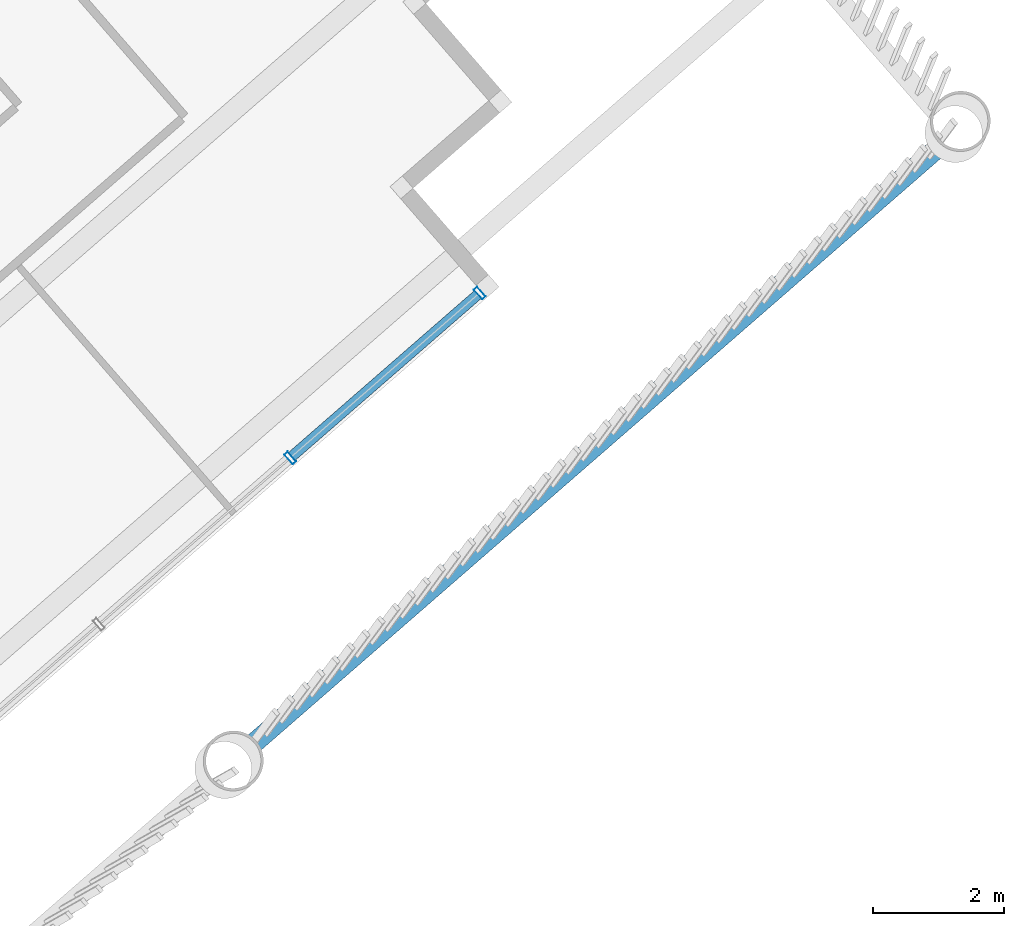
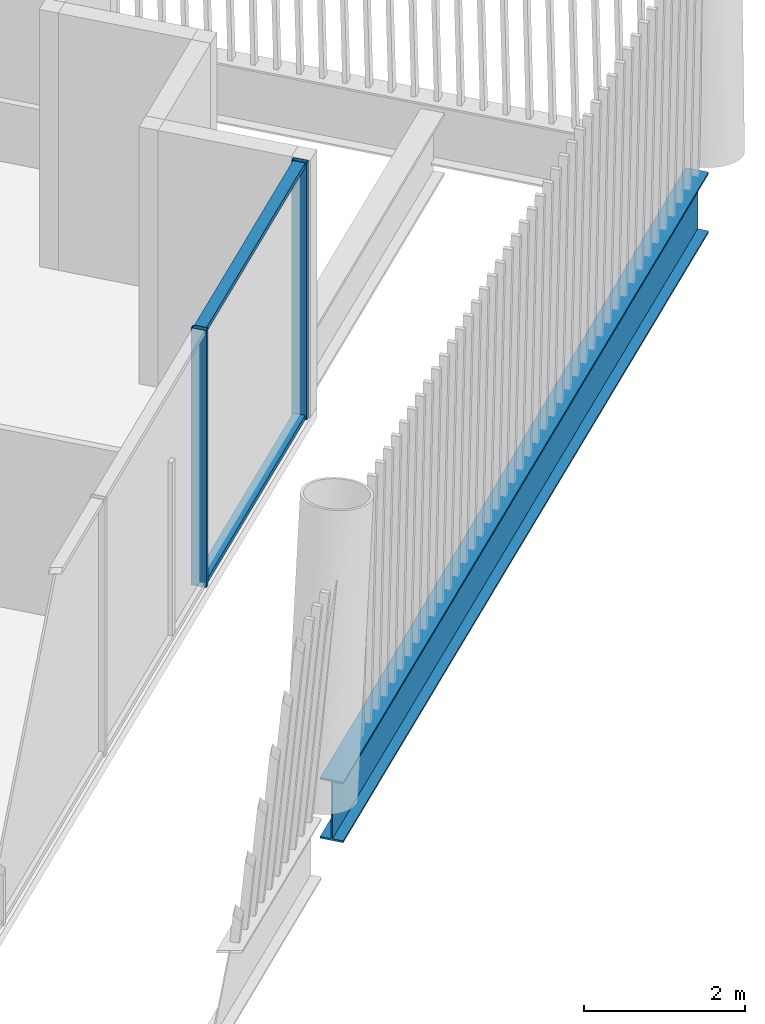
# One storey, part 16 of 28: 4 members, 1 beam, 1 element without a shape of its own.
"""IFC4 building model written with IfcOpenShell, lengths in metres."""

from ifc_helpers import new_model, si_unit, direction, frame, origin, origin_2d, place, context, subcontext, project, spatial, hollow_rectangle, i_section, extrude, material, layer, layer_set, material_profile, profile_set, type_object, element, aggregate, save


model = new_model("IFC4")

# Units and contexts
model_context = context("Model", 3, precision=1e-05, world=origin(), true_north=direction((0.0, 1.0)))
body_context = subcontext(model_context, "Body", "Model", "MODEL_VIEW")
ifc_project = project(units=[si_unit("LENGTHUNIT", "METRE"), si_unit("AREAUNIT", "SQUARE_METRE"), si_unit("VOLUMEUNIT", "CUBIC_METRE"), si_unit("PLANEANGLEUNIT", "RADIAN"), si_unit("MASSUNIT", "GRAM", prefix="KILO")], contexts=[model_context])

# Site, building, storey
site_placement = place(None, origin())
site = spatial("IfcSite", under=ifc_project, at=site_placement, CompositionType="ELEMENT")
building_placement = place(site_placement, origin())
building = spatial("IfcBuilding", under=site, at=building_placement, Name="Tarsis Ring Headquarters", CompositionType="ELEMENT")
storey_placement = place(building_placement, frame((0.0, 0.0, 394.39990234375)))
storey = spatial("IfcBuildingStorey", under=building, at=storey_placement, Name="L93", CompositionType="ELEMENT", Elevation=394.39990234375)

# Curtain wall, members
ifc_material_1 = material(Name="Aluminium curtain wall", Category="aluminium")
ifc_layer = layer(ifc_material_1, 0.199951171875)
ifc_layer_set = layer_set([ifc_layer], Name="Curtain wall executive tip")
curtain_wall_type = type_object("IfcCurtainWallType", Name="Curtain wall executive tip", PredefinedType="NOTDEFINED", material=ifc_layer_set)
curtain_wall_placement = place(storey_placement, origin())
curtain_wall = element("IfcCurtainWall", 1, at=curtain_wall_placement, inside=storey, type_object=curtain_wall_type, Name="Curtain wall L93-11", PredefinedType="NOTDEFINED")
ifc_material_2 = material(Name="Aluminium mullion", Category="aluminium")
ifc_material_profile_1 = material_profile(ifc_material_2, hollow_rectangle(XDim=0.199951171875, YDim=0.070068359375, WallThickness=0.0048828125, at=origin_2d()), Name="RHS 200x70x5")
ifc_profile_set_1 = profile_set([ifc_material_profile_1], Name="Aluminium mullion")
member_type_1 = type_object("IfcMemberType", Name="Curtain wall mullion executive tip RHS 200x70x5", PredefinedType="MULLION", material=ifc_profile_set_1)
member_1_placement = place(storey_placement, frame((23.851318359375, -21.49755859375, 0.0), z_axis=(0.0, 0.0, 1.0), x_axis=(-0.656585760716, 0.754251376416, 0.0)))
member_1 = element("IfcMember", 2, at=member_1_placement, type_object=member_type_1, Name="CW-E mullion 4", PredefinedType="MULLION", context=body_context, shape_type="SweptSolid", body=[
    extrude(hollow_rectangle(XDim=0.199951171875, YDim=0.070068359375, WallThickness=0.0048828125, at=origin_2d()), origin(), (0.0, 0.0, 1.0), 3.900146484375),
])
member_2_placement = place(storey_placement, frame((26.747802734375, -18.976318359375, 0.0), z_axis=(0.0, 0.0, 1.0), x_axis=(-0.656585760716, 0.754251376416, 0.0)))
member_2 = element("IfcMember", 3, at=member_2_placement, type_object=member_type_1, Name="CW-E mullion 5", PredefinedType="MULLION", context=body_context, shape_type="SweptSolid", body=[
    extrude(hollow_rectangle(XDim=0.199951171875, YDim=0.070068359375, WallThickness=0.0048828125, at=origin_2d()), origin(), (0.0, 0.0, 1.0), 3.900146484375),
])
ifc_material_3 = material(Name="Aluminium transom", Category="aluminium")
ifc_material_profile_2 = material_profile(ifc_material_3, hollow_rectangle(XDim=0.159912109375, YDim=0.070068359375, WallThickness=0.0048828125, at=origin_2d()), Name="RHS 160x70x5")
ifc_profile_set_2 = profile_set([ifc_material_profile_2], Name="Aluminium transom")
member_type_2 = type_object("IfcMemberType", Name="Curtain wall transom executive tip RHS 160x70x5", PredefinedType="USERDEFINED", material=ifc_profile_set_2)
member_3_placement = place(storey_placement, frame((23.877685546875, -21.474609375, 0.03515625), z_axis=(0.754275025777, 0.656558592579, 0.0), x_axis=(-0.656558592579, 0.754275025777, 0.0)))
member_3 = element("IfcMember", 4, at=member_3_placement, type_object=member_type_2, Name="CW-E transom 4.1", ObjectType="TRANSOM", PredefinedType="USERDEFINED", context=body_context, shape_type="SweptSolid", body=[
    extrude(hollow_rectangle(XDim=0.159912109375, YDim=0.070068359375, WallThickness=0.0048828125, at=origin_2d()), origin(), (0.0, 0.0, 1.0), 3.770263671875),
])
member_4_placement = place(storey_placement, frame((23.877685546875, -21.474609375, 3.864990234375), z_axis=(0.754275025777, 0.656558592579, 0.0), x_axis=(-0.656558592579, 0.754275025777, 0.0)))
member_4 = element("IfcMember", 5, at=member_4_placement, type_object=member_type_2, Name="CW-E transom 4.2", ObjectType="TRANSOM", PredefinedType="USERDEFINED", context=body_context, shape_type="SweptSolid", body=[
    extrude(hollow_rectangle(XDim=0.159912109375, YDim=0.070068359375, WallThickness=0.0048828125, at=origin_2d()), origin(), (0.0, 0.0, 1.0), 3.770263671875),
])
aggregate(curtain_wall, [member_1, member_2, member_3, member_4])

# Beam
ifc_material_4 = material(Name="Structural steel S355", Category="steel")
ifc_material_profile_3 = material_profile(ifc_material_4, i_section(OverallWidth=0.3046875, OverallDepth=0.91943359375, WebThickness=0.017333984375, FlangeThickness=0.02783203125, at=origin_2d()), Name="W36x170")
ifc_profile_set_3 = profile_set([ifc_material_profile_3], Name="Structural steel S355")
beam_type = type_object("IfcBeamType", Name="XG Ring girder W36x170", PredefinedType="BEAM", material=ifc_profile_set_3)
beam_placement = place(storey_placement, frame((23.159423828125, -25.977783203125, -0.459716796875), z_axis=(0.754248170845, 0.65658944309, 0.0), x_axis=(-0.65658944309, 0.754248170845, 0.0)))
element("IfcBeam", 6, at=beam_placement, inside=storey, type_object=beam_type, Name="Ring girder XG4", PredefinedType="BEAM", context=body_context, shape_type="SweptSolid", body=[
    extrude(i_section(OverallWidth=0.3046875, OverallDepth=0.91943359375, WebThickness=0.017333984375, FlangeThickness=0.02783203125, at=origin_2d()), origin(), (0.0, 0.0, 1.0), 13.97705078125),
])

save(model, "model.ifc")
